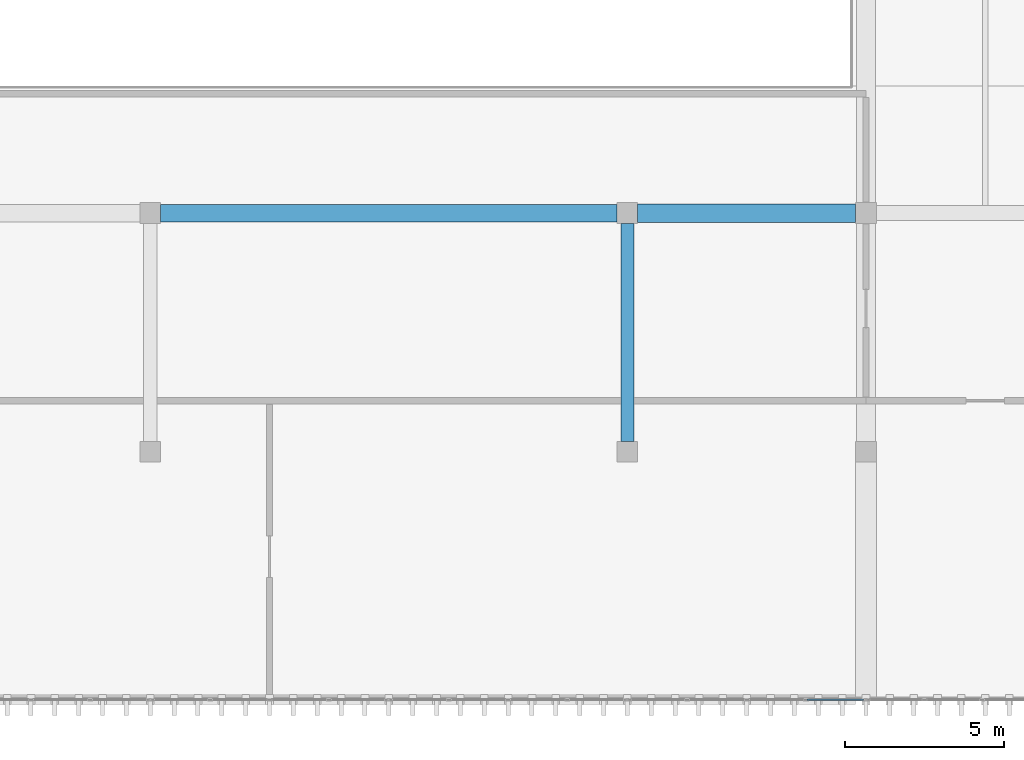
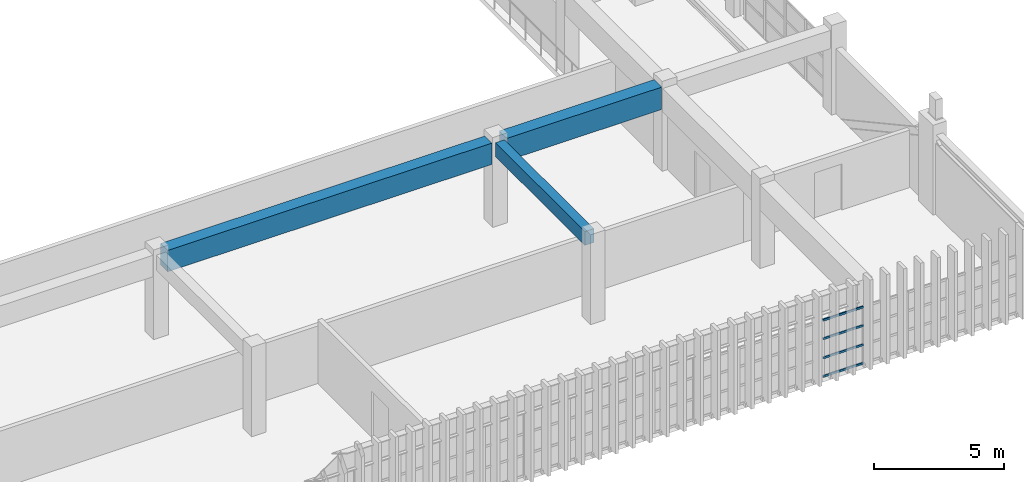
# One storey, part 16 of 51: 4 members, 3 beams, 1 element without a shape of its own.
"""IFC4 building model written with IfcOpenShell, lengths in metres."""

from ifc_helpers import new_model, si_unit, direction, frame, origin, origin_2d, place, context, subcontext, project, spatial, rectangle, hollow_rectangle, extrude, material, material_profile, profile_set, type_object, element, aggregate, save


model = new_model("IFC4")

# Units and contexts
model_context = context("Model", 3, precision=1e-05, world=origin(), true_north=direction((0.0, 1.0)))
body_context = subcontext(model_context, "Body", "Model", "MODEL_VIEW")
ifc_project = project(units=[si_unit("LENGTHUNIT", "METRE"), si_unit("AREAUNIT", "SQUARE_METRE"), si_unit("VOLUMEUNIT", "CUBIC_METRE"), si_unit("PLANEANGLEUNIT", "RADIAN"), si_unit("MASSUNIT", "GRAM", prefix="KILO")], contexts=[model_context])

# Site, building, storey
site_placement = place(None, origin())
site = spatial("IfcSite", under=ifc_project, at=site_placement, CompositionType="ELEMENT")
building_placement = place(site_placement, origin())
building = spatial("IfcBuilding", under=site, at=building_placement, Name="Qasida Concert Hall", CompositionType="ELEMENT")
storey_placement = place(building_placement, frame((0.0, 0.0, 21.0)))
storey = spatial("IfcBuildingStorey", under=building, at=storey_placement, Name="L05", CompositionType="ELEMENT", Elevation=21.0)

# Beams
ifc_material_1 = material(Name="Concrete C40/50", Category="concrete")
ifc_material_profile_1 = material_profile(ifc_material_1, rectangle(XDim=0.39990234375, YDim=0.64990234375, at=origin_2d()), Name="RC 400x650")
ifc_profile_set_1 = profile_set([ifc_material_profile_1], Name="Concrete C40/50")
beam_type_1 = type_object("IfcBeamType", Name="BM-B1", PredefinedType="BEAM", material=ifc_profile_set_1)
beam_1_placement = place(storey_placement, frame((90.0, 22.824951171875, 3.594970703125), z_axis=(0.0, 1.0, 0.0), x_axis=(-1.0, 0.0, 0.0)))
element("IfcBeam", 1, at=beam_1_placement, inside=storey, type_object=beam_type_1, Name="L05 girder 2019", PredefinedType="BEAM", context=body_context, shape_type="SweptSolid", body=[
    extrude(rectangle(XDim=0.39990234375, YDim=0.64990234375, at=origin_2d()), origin(), (0.0, 0.0, 1.0), 6.85009765625),
])
ifc_material_profile_2 = material_profile(ifc_material_1, rectangle(XDim=0.550048828125, YDim=1.0, at=origin_2d()), Name="RC 550x1000")
ifc_profile_set_2 = profile_set([ifc_material_profile_2], Name="Concrete C40/50")
beam_type_2 = type_object("IfcBeamType", Name="BM-G3", PredefinedType="USERDEFINED", material=ifc_profile_set_2)
beam_2_placement = place(storey_placement, frame((75.324951171875, 30.0, 3.419921875), z_axis=(1.0, 0.0, 0.0), x_axis=(0.0, 1.0, 0.0)))
element("IfcBeam", 2, at=beam_2_placement, inside=storey, type_object=beam_type_2, Name="Primary girder 1989", ObjectType="GIRDER", PredefinedType="USERDEFINED", context=body_context, shape_type="SweptSolid", body=[
    extrude(rectangle(XDim=0.550048828125, YDim=1.0, at=origin_2d()), origin(), (0.0, 0.0, 1.0), 14.35009765625),
])
ifc_material_2 = material(Name="Concrete C50/60", Category="concrete")
ifc_material_profile_3 = material_profile(ifc_material_2, rectangle(XDim=0.580078125, YDim=1.050048828125, at=origin_2d()), Name="RC 580x1050")
ifc_profile_set_3 = profile_set([ifc_material_profile_3], Name="Concrete C50/60")
beam_type_3 = type_object("IfcBeamType", Name="BM-G8", PredefinedType="USERDEFINED", material=ifc_profile_set_3)
beam_3_placement = place(storey_placement, frame((90.324951171875, 30.0, 3.39501953125), z_axis=(1.0, 0.0, 0.0), x_axis=(0.0, 1.0, 0.0)))
element("IfcBeam", 3, at=beam_3_placement, inside=storey, type_object=beam_type_3, Name="Primary girder 1990", ObjectType="GIRDER", PredefinedType="USERDEFINED", context=body_context, shape_type="SweptSolid", body=[
    extrude(rectangle(XDim=0.580078125, YDim=1.050048828125, at=origin_2d()), origin(), (0.0, 0.0, 1.0), 6.85009765625),
])

# Curtain wall, members
ifc_material_3 = material(Name="Architectural bronze-anodized aluminium and low-E glass", Category="aluminium")
curtain_wall_type = type_object("IfcCurtainWallType", Name="CW-05", PredefinedType="NOTDEFINED", material=ifc_material_3)
curtain_wall_placement = place(storey_placement, origin())
curtain_wall = element("IfcCurtainWall", 4, at=curtain_wall_placement, inside=storey, type_object=curtain_wall_type, Name="L05 curtain wall CW-05 0034", PredefinedType="NOTDEFINED")
ifc_material_4 = material(Name="Architectural bronze-anodized aluminium EN AW-6063", Category="aluminium")
ifc_material_profile_4 = material_profile(ifc_material_4, hollow_rectangle(XDim=0.06005859375, YDim=0.10009765625, WallThickness=0.00341796875, InnerFilletRadius=0.00341796875, OuterFilletRadius=0.007080078125, at=origin_2d()), Name="CWT 100x60x3.5")
ifc_profile_set_4 = profile_set([ifc_material_profile_4], Name="Architectural bronze-anodized aluminium EN AW-6063")
member_type = type_object("IfcMemberType", Name="MB-CWT-3", PredefinedType="USERDEFINED", material=ifc_profile_set_4)
member_1_placement = place(storey_placement, frame((95.64501953125, 14.699951171875, 0.030029296875), z_axis=(1.0, 0.0, 0.0), x_axis=(0.0, 1.0, 0.0)))
member_1 = element("IfcMember", 5, at=member_1_placement, type_object=member_type, Name="CW-05 transom 4.1", ObjectType="TRANSOM", PredefinedType="USERDEFINED", context=body_context, shape_type="SweptSolid", body=[
    extrude(hollow_rectangle(XDim=0.06005859375, YDim=0.10009765625, WallThickness=0.00341796875, InnerFilletRadius=0.00341796875, OuterFilletRadius=0.007080078125, at=origin_2d()), origin(), (0.0, 0.0, 1.0), 1.77490234375),
])
member_2_placement = place(storey_placement, frame((95.64501953125, 14.699951171875, 0.896728515625), z_axis=(1.0, 0.0, 0.0), x_axis=(0.0, 1.0, 0.0)))
member_2 = element("IfcMember", 6, at=member_2_placement, type_object=member_type, Name="CW-05 transom 4.2", ObjectType="TRANSOM", PredefinedType="USERDEFINED", context=body_context, shape_type="SweptSolid", body=[
    extrude(hollow_rectangle(XDim=0.06005859375, YDim=0.10009765625, WallThickness=0.00341796875, InnerFilletRadius=0.00341796875, OuterFilletRadius=0.007080078125, at=origin_2d()), origin(), (0.0, 0.0, 1.0), 1.77490234375),
])
member_3_placement = place(storey_placement, frame((95.64501953125, 14.699951171875, 1.793212890625), z_axis=(1.0, 0.0, 0.0), x_axis=(0.0, 1.0, 0.0)))
member_3 = element("IfcMember", 7, at=member_3_placement, type_object=member_type, Name="CW-05 transom 4.3", ObjectType="TRANSOM", PredefinedType="USERDEFINED", context=body_context, shape_type="SweptSolid", body=[
    extrude(hollow_rectangle(XDim=0.06005859375, YDim=0.10009765625, WallThickness=0.00341796875, InnerFilletRadius=0.00341796875, OuterFilletRadius=0.007080078125, at=origin_2d()), origin(), (0.0, 0.0, 1.0), 1.77490234375),
])
member_4_placement = place(storey_placement, frame((95.64501953125, 14.699951171875, 2.659912109375), z_axis=(1.0, 0.0, 0.0), x_axis=(0.0, 1.0, 0.0)))
member_4 = element("IfcMember", 8, at=member_4_placement, type_object=member_type, Name="CW-05 transom 4.4", ObjectType="TRANSOM", PredefinedType="USERDEFINED", context=body_context, shape_type="SweptSolid", body=[
    extrude(hollow_rectangle(XDim=0.06005859375, YDim=0.10009765625, WallThickness=0.00341796875, InnerFilletRadius=0.00341796875, OuterFilletRadius=0.007080078125, at=origin_2d()), origin(), (0.0, 0.0, 1.0), 1.77490234375),
])
aggregate(curtain_wall, [member_1, member_2, member_3, member_4])

save(model, "model.ifc")
